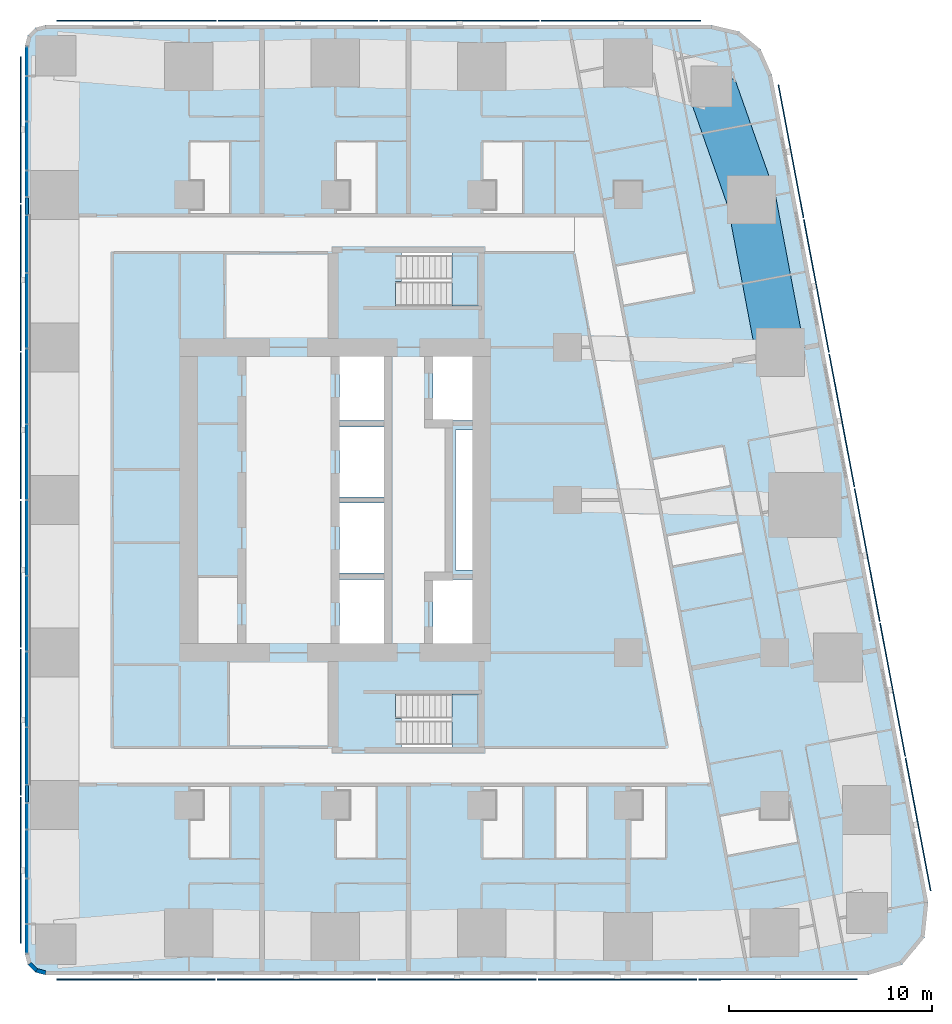
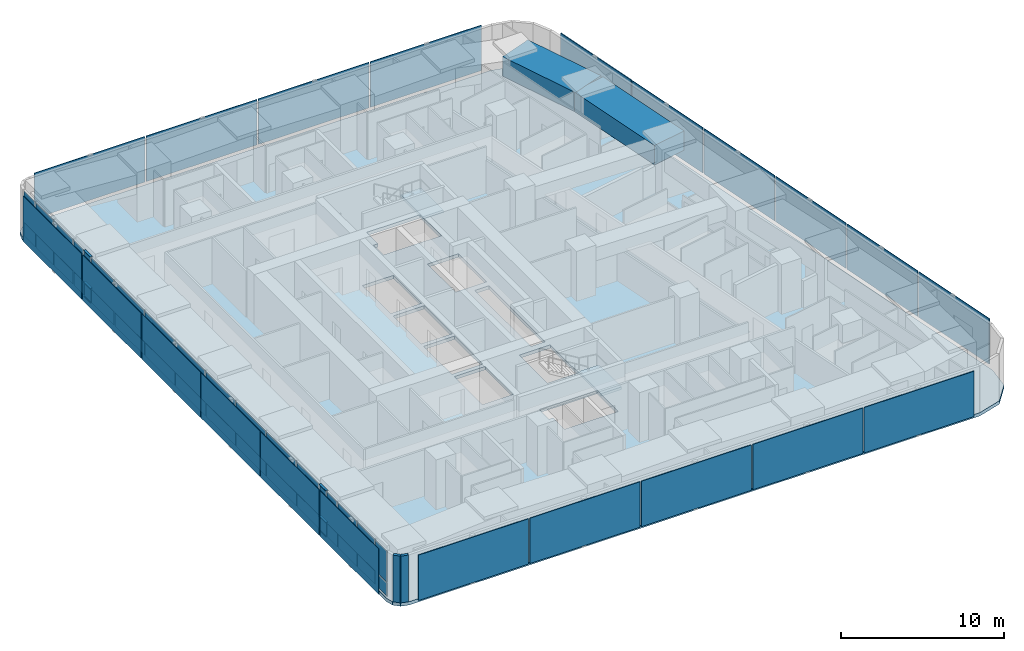
# One storey, part 6 of 17: 57 plates, 6 members, 3 slabs, 2 beams, 2 walls, 3 elements without a shape of their own.
"""IFC4 building model written with IfcOpenShell, lengths in metres."""

from ifc_helpers import new_model, si_unit, direction, frame, frame_2d, origin, origin_2d, place, context, subcontext, project, spatial, polyline, rectangle, outline, extrude, material, layer, layer_set, material_profile, profile_set, type_object, element, aggregate, save


model = new_model("IFC4")

# Units and contexts
model_context = context("Model", 3, precision=1e-05, world=origin(), true_north=direction((0.0, 1.0)))
body_context = subcontext(model_context, "Body", "Model", "MODEL_VIEW")
ifc_project = project(units=[si_unit("LENGTHUNIT", "METRE"), si_unit("AREAUNIT", "SQUARE_METRE"), si_unit("VOLUMEUNIT", "CUBIC_METRE"), si_unit("PLANEANGLEUNIT", "RADIAN"), si_unit("MASSUNIT", "GRAM", prefix="KILO")], contexts=[model_context])

# Site, building, storey
site_placement = place(None, origin())
site = spatial("IfcSite", under=ifc_project, at=site_placement, CompositionType="ELEMENT")
building_placement = place(site_placement, origin())
building = spatial("IfcBuilding", under=site, at=building_placement, Name="Sheger Commons Tower", CompositionType="ELEMENT")
storey_placement = place(building_placement, frame((0.0, 0.0, 212.449951171875)))
storey = spatial("IfcBuildingStorey", under=building, at=storey_placement, Name="L54", CompositionType="ELEMENT", Elevation=212.449951171875)

# Beams
ifc_material_1 = material(Name="Concrete C50/60", Category="concrete")
ifc_material_profile_1 = material_profile(ifc_material_1, rectangle(XDim=2.39990234375, YDim=1.449951171875, at=origin_2d()), Name="RC 2400x1450")
ifc_profile_set_1 = profile_set([ifc_material_profile_1], Name="Concrete C50/60")
beam_type = type_object("IfcBeamType", Name="SPANDREL RC 2400x1450", PredefinedType="SPANDREL", material=ifc_profile_set_1)
beam_1_placement = place(storey_placement, frame((43.47998046875, 29.762939453125, 2.775146484375), z_axis=(-0.18552441405, 0.982639655108, 0.0), x_axis=(-0.982639655108, -0.18552441405, 0.0)))
element("IfcBeam", 1, at=beam_1_placement, inside=storey, type_object=beam_type, Name="Beam E/E-E/F under L55", PredefinedType="SPANDREL", context=body_context, shape_type="SweptSolid", body=[
    extrude(rectangle(XDim=2.39990234375, YDim=1.449951171875, at=origin_2d()), origin(), (0.0, 0.0, 1.0), 7.632568359375),
])
beam_2_placement = place(storey_placement, frame((42.06396484375, 37.262939453125, 2.775146484375), z_axis=(-0.332374403357, 0.943147526102, 0.0), x_axis=(-0.943147526102, -0.332374403357, 0.0)))
element("IfcBeam", 2, at=beam_2_placement, inside=storey, type_object=beam_type, Name="Beam E/F-41.490,44.505 under L55", PredefinedType="SPANDREL", context=body_context, shape_type="SweptSolid", body=[
    extrude(rectangle(XDim=2.39990234375, YDim=1.449951171875, at=origin_2d()), origin(), (0.0, 0.0, 1.0), 5.90283203125),
])

# Curtain wall, members, plates
ifc_material_2 = material(Name="Black aluminium curtain wall, dark tinted glazing", Category="aluminium")
curtain_wall_type = type_object("IfcCurtainWallType", Name="CURTAIN WALL CW4 GALLERY", PredefinedType="USERDEFINED", material=ifc_material_2)
curtain_wall_placement = place(storey_placement, origin())
curtain_wall = element("IfcCurtainWall", 3, at=curtain_wall_placement, inside=storey, type_object=curtain_wall_type, Name="Curtain Wall Cw4 Gallery W1 L54", ObjectType="UNITISED CURTAIN WALL", PredefinedType="USERDEFINED")
ifc_material_3 = material(Name="Black anodised aluminium", Category="aluminium")
ifc_material_profile_2 = material_profile(ifc_material_3, rectangle(XDim=0.14990234375, YDim=0.06494140625, at=origin_2d()), Name="AL 65x150")
ifc_profile_set_2 = profile_set([ifc_material_profile_2], Name="Black anodised aluminium")
member_type = type_object("IfcMemberType", Name="TRANSOM AL 65x150", PredefinedType="USERDEFINED", material=ifc_profile_set_2)
member_1_placement = place(storey_placement, frame((6.449951171875, 37.3583984375, 0.032470703125), z_axis=(0.0, -1.0, 0.0), x_axis=(1.0, 0.0, 0.0)))
member_1 = element("IfcMember", 4, at=member_1_placement, type_object=member_type, Name="CW4 transom 5.1", ObjectType="TRANSOM", PredefinedType="USERDEFINED", context=body_context, shape_type="SweptSolid", body=[
    extrude(rectangle(XDim=0.14990234375, YDim=0.06494140625, at=origin_2d()), origin(), (0.0, 0.0, 1.0), 0.825927734375),
])
member_2_placement = place(storey_placement, frame((6.449951171875, 37.3583984375, 1.10009765625), z_axis=(0.0, -1.0, 0.0), x_axis=(1.0, 0.0, 0.0)))
member_2 = element("IfcMember", 5, at=member_2_placement, type_object=member_type, Name="CW4 transom 5.2", ObjectType="TRANSOM", PredefinedType="USERDEFINED", context=body_context, shape_type="SweptSolid", body=[
    extrude(rectangle(XDim=0.14990234375, YDim=0.06494140625, at=origin_2d()), origin(), (0.0, 0.0, 1.0), 0.825927734375),
])
member_3_placement = place(storey_placement, frame((6.449951171875, 37.3583984375, 3.467529296875), z_axis=(0.0, -1.0, 0.0), x_axis=(1.0, 0.0, 0.0)))
member_3 = element("IfcMember", 6, at=member_3_placement, type_object=member_type, Name="CW4 transom 5.3", ObjectType="TRANSOM", PredefinedType="USERDEFINED", context=body_context, shape_type="SweptSolid", body=[
    extrude(rectangle(XDim=0.14990234375, YDim=0.06494140625, at=origin_2d()), origin(), (0.0, 0.0, 1.0), 0.825927734375),
])
member_4_placement = place(storey_placement, frame((6.449951171875, 8.467529296875, 0.032470703125), z_axis=(0.0, -1.0, 0.0), x_axis=(1.0, 0.0, 0.0)))
member_4 = element("IfcMember", 7, at=member_4_placement, type_object=member_type, Name="CW4 transom 14.1", ObjectType="TRANSOM", PredefinedType="USERDEFINED", context=body_context, shape_type="SweptSolid", body=[
    extrude(rectangle(XDim=0.14990234375, YDim=0.06494140625, at=origin_2d()), origin(), (0.0, 0.0, 1.0), 0.825927734375),
])
member_5_placement = place(storey_placement, frame((6.449951171875, 8.467529296875, 1.10009765625), z_axis=(0.0, -1.0, 0.0), x_axis=(1.0, 0.0, 0.0)))
member_5 = element("IfcMember", 8, at=member_5_placement, type_object=member_type, Name="CW4 transom 14.2", ObjectType="TRANSOM", PredefinedType="USERDEFINED", context=body_context, shape_type="SweptSolid", body=[
    extrude(rectangle(XDim=0.14990234375, YDim=0.06494140625, at=origin_2d()), origin(), (0.0, 0.0, 1.0), 0.825927734375),
])
member_6_placement = place(storey_placement, frame((6.449951171875, 8.467529296875, 3.467529296875), z_axis=(0.0, -1.0, 0.0), x_axis=(1.0, 0.0, 0.0)))
member_6 = element("IfcMember", 9, at=member_6_placement, type_object=member_type, Name="CW4 transom 14.3", ObjectType="TRANSOM", PredefinedType="USERDEFINED", context=body_context, shape_type="SweptSolid", body=[
    extrude(rectangle(XDim=0.14990234375, YDim=0.06494140625, at=origin_2d()), origin(), (0.0, 0.0, 1.0), 0.825927734375),
])
ifc_material_4 = material(Name="Dark tinted double glazing", Category="glass")
ifc_layer_1 = layer(ifc_material_4, 0.031982421875)
ifc_layer_set_1 = layer_set([ifc_layer_1], Name="GLAZED PANEL 32")
plate_type_1 = type_object("IfcPlateType", Name="GLAZED PANEL 32", PredefinedType="CURTAIN_PANEL", material=ifc_layer_set_1)
plate_1_placement = place(storey_placement, frame((6.449951171875, 44.0751953125, 0.065185546875), z_axis=(0.0, 0.0, 1.0), x_axis=(0.0, -1.0, 0.0)))
plate_1 = element("IfcPlate", 10, at=plate_1_placement, type_object=plate_type_1, Name="CW4 panel 1.1", PredefinedType="CURTAIN_PANEL", context=body_context, shape_type="SweptSolid", body=[
    extrude(rectangle(XDim=1.3935546875, YDim=0.031982421875, at=origin_2d()), origin(), (0.0, 0.0, 1.0), 1.00244140625),
])
plate_2_placement = place(storey_placement, frame((6.449951171875, 44.0751953125, 1.13232421875), z_axis=(0.0, 0.0, 1.0), x_axis=(0.0, -1.0, 0.0)))
plate_2 = element("IfcPlate", 11, at=plate_2_placement, type_object=plate_type_1, Name="CW4 panel 1.2", PredefinedType="CURTAIN_PANEL", context=body_context, shape_type="SweptSolid", body=[
    extrude(rectangle(XDim=1.3935546875, YDim=0.031982421875, at=origin_2d()), origin(), (0.0, 0.0, 1.0), 2.302490234375),
])
plate_3_placement = place(storey_placement, frame((6.449951171875, 42.22998046875, 0.065185546875), z_axis=(0.0, 0.0, 1.0), x_axis=(0.0, -1.0, 0.0)))
plate_3 = element("IfcPlate", 12, at=plate_3_placement, type_object=plate_type_1, Name="CW4 panel 2.1", PredefinedType="CURTAIN_PANEL", context=body_context, shape_type="SweptSolid", body=[
    extrude(rectangle(XDim=2.1669921875, YDim=0.031982421875, at=origin_2d()), origin(), (0.0, 0.0, 1.0), 1.00244140625),
])
plate_4_placement = place(storey_placement, frame((6.449951171875, 42.22998046875, 1.13232421875), z_axis=(0.0, 0.0, 1.0), x_axis=(0.0, -1.0, 0.0)))
plate_4 = element("IfcPlate", 13, at=plate_4_placement, type_object=plate_type_1, Name="CW4 panel 2.2", PredefinedType="CURTAIN_PANEL", context=body_context, shape_type="SweptSolid", body=[
    extrude(rectangle(XDim=2.1669921875, YDim=0.031982421875, at=origin_2d()), origin(), (0.0, 0.0, 1.0), 2.302490234375),
])
plate_5_placement = place(storey_placement, frame((6.449951171875, 39.906982421875, 0.065185546875), z_axis=(0.0, 0.0, 1.0), x_axis=(0.0, -1.0, 0.0)))
plate_5 = element("IfcPlate", 14, at=plate_5_placement, type_object=plate_type_1, Name="CW4 panel 3.1", PredefinedType="CURTAIN_PANEL", context=body_context, shape_type="SweptSolid", body=[
    extrude(rectangle(XDim=2.34912109375, YDim=0.031982421875, at=origin_2d()), origin(), (0.0, 0.0, 1.0), 1.00244140625),
])
plate_6_placement = place(storey_placement, frame((6.449951171875, 39.906982421875, 1.13232421875), z_axis=(0.0, 0.0, 1.0), x_axis=(0.0, -1.0, 0.0)))
plate_6 = element("IfcPlate", 15, at=plate_6_placement, type_object=plate_type_1, Name="CW4 panel 3.2", PredefinedType="CURTAIN_PANEL", context=body_context, shape_type="SweptSolid", body=[
    extrude(rectangle(XDim=2.34912109375, YDim=0.031982421875, at=origin_2d()), origin(), (0.0, 0.0, 1.0), 2.302490234375),
])
plate_7_placement = place(storey_placement, frame((6.449951171875, 38.04541015625, 0.065185546875), z_axis=(0.0, 0.0, 1.0), x_axis=(0.0, -1.0, 0.0)))
plate_7 = element("IfcPlate", 16, at=plate_7_placement, type_object=plate_type_1, Name="CW4 panel 4.1", PredefinedType="CURTAIN_PANEL", context=body_context, shape_type="SweptSolid", body=[
    extrude(rectangle(XDim=1.243896484375, YDim=0.031982421875, at=origin_2d()), origin(), (0.0, 0.0, 1.0), 1.00244140625),
])
plate_8_placement = place(storey_placement, frame((6.449951171875, 38.04541015625, 1.13232421875), z_axis=(0.0, 0.0, 1.0), x_axis=(0.0, -1.0, 0.0)))
plate_8 = element("IfcPlate", 17, at=plate_8_placement, type_object=plate_type_1, Name="CW4 panel 4.2", PredefinedType="CURTAIN_PANEL", context=body_context, shape_type="SweptSolid", body=[
    extrude(rectangle(XDim=1.243896484375, YDim=0.031982421875, at=origin_2d()), origin(), (0.0, 0.0, 1.0), 2.302490234375),
])
plate_9_placement = place(storey_placement, frame((6.449951171875, 36.945556640625, 0.065185546875), z_axis=(0.0, 0.0, 1.0), x_axis=(0.0, -1.0, 0.0)))
plate_9 = element("IfcPlate", 18, at=plate_9_placement, type_object=plate_type_1, Name="CW4 panel 5.1", PredefinedType="CURTAIN_PANEL", context=body_context, shape_type="SweptSolid", body=[
    extrude(rectangle(XDim=0.825927734375, YDim=0.031982421875, at=origin_2d()), origin(), (0.0, 0.0, 1.0), 1.00244140625),
])
plate_10_placement = place(storey_placement, frame((6.449951171875, 36.945556640625, 1.13232421875), z_axis=(0.0, 0.0, 1.0), x_axis=(0.0, -1.0, 0.0)))
plate_10 = element("IfcPlate", 19, at=plate_10_placement, type_object=plate_type_1, Name="CW4 panel 5.2", PredefinedType="CURTAIN_PANEL", context=body_context, shape_type="SweptSolid", body=[
    extrude(rectangle(XDim=0.825927734375, YDim=0.031982421875, at=origin_2d()), origin(), (0.0, 0.0, 1.0), 2.302490234375),
])
plate_11_placement = place(storey_placement, frame((6.449951171875, 35.083984375, 0.065185546875), z_axis=(0.0, 0.0, 1.0), x_axis=(0.0, -1.0, 0.0)))
plate_11 = element("IfcPlate", 20, at=plate_11_placement, type_object=plate_type_1, Name="CW4 panel 6.1", PredefinedType="CURTAIN_PANEL", context=body_context, shape_type="SweptSolid", body=[
    extrude(rectangle(XDim=2.76708984375, YDim=0.031982421875, at=origin_2d()), origin(), (0.0, 0.0, 1.0), 1.00244140625),
])
plate_12_placement = place(storey_placement, frame((6.449951171875, 35.083984375, 1.13232421875), z_axis=(0.0, 0.0, 1.0), x_axis=(0.0, -1.0, 0.0)))
plate_12 = element("IfcPlate", 21, at=plate_12_placement, type_object=plate_type_1, Name="CW4 panel 6.2", PredefinedType="CURTAIN_PANEL", context=body_context, shape_type="SweptSolid", body=[
    extrude(rectangle(XDim=2.76708984375, YDim=0.031982421875, at=origin_2d()), origin(), (0.0, 0.0, 1.0), 2.302490234375),
])
plate_13_placement = place(storey_placement, frame((6.449951171875, 31.806884765625, 0.065185546875), z_axis=(0.0, 0.0, 1.0), x_axis=(0.0, -1.0, 0.0)))
plate_13 = element("IfcPlate", 22, at=plate_13_placement, type_object=plate_type_1, Name="CW4 panel 7.1", PredefinedType="CURTAIN_PANEL", context=body_context, shape_type="SweptSolid", body=[
    extrude(rectangle(XDim=3.656982421875, YDim=0.031982421875, at=origin_2d()), origin(), (0.0, 0.0, 1.0), 1.00244140625),
])
plate_14_placement = place(storey_placement, frame((6.449951171875, 31.806884765625, 1.13232421875), z_axis=(0.0, 0.0, 1.0), x_axis=(0.0, -1.0, 0.0)))
plate_14 = element("IfcPlate", 23, at=plate_14_placement, type_object=plate_type_1, Name="CW4 panel 7.2", PredefinedType="CURTAIN_PANEL", context=body_context, shape_type="SweptSolid", body=[
    extrude(rectangle(XDim=3.656982421875, YDim=0.031982421875, at=origin_2d()), origin(), (0.0, 0.0, 1.0), 2.302490234375),
])
plate_15_placement = place(storey_placement, frame((6.449951171875, 28.08447265625, 0.065185546875), z_axis=(0.0, 0.0, 1.0), x_axis=(0.0, -1.0, 0.0)))
plate_15 = element("IfcPlate", 24, at=plate_15_placement, type_object=plate_type_1, Name="CW4 panel 8.1", PredefinedType="CURTAIN_PANEL", context=body_context, shape_type="SweptSolid", body=[
    extrude(rectangle(XDim=3.657958984375, YDim=0.031982421875, at=origin_2d()), origin(), (0.0, 0.0, 1.0), 1.00244140625),
])
plate_16_placement = place(storey_placement, frame((6.449951171875, 28.08447265625, 1.13232421875), z_axis=(0.0, 0.0, 1.0), x_axis=(0.0, -1.0, 0.0)))
plate_16 = element("IfcPlate", 25, at=plate_16_placement, type_object=plate_type_1, Name="CW4 panel 8.2", PredefinedType="CURTAIN_PANEL", context=body_context, shape_type="SweptSolid", body=[
    extrude(rectangle(XDim=3.657958984375, YDim=0.031982421875, at=origin_2d()), origin(), (0.0, 0.0, 1.0), 2.302490234375),
])
plate_17_placement = place(storey_placement, frame((6.449951171875, 24.361572265625, 0.065185546875), z_axis=(0.0, 0.0, 1.0), x_axis=(0.0, -1.0, 0.0)))
plate_17 = element("IfcPlate", 26, at=plate_17_placement, type_object=plate_type_1, Name="CW4 panel 9.1", PredefinedType="CURTAIN_PANEL", context=body_context, shape_type="SweptSolid", body=[
    extrude(rectangle(XDim=3.657958984375, YDim=0.031982421875, at=origin_2d()), origin(), (0.0, 0.0, 1.0), 1.00244140625),
])
plate_18_placement = place(storey_placement, frame((6.449951171875, 24.361572265625, 1.13232421875), z_axis=(0.0, 0.0, 1.0), x_axis=(0.0, -1.0, 0.0)))
plate_18 = element("IfcPlate", 27, at=plate_18_placement, type_object=plate_type_1, Name="CW4 panel 9.2", PredefinedType="CURTAIN_PANEL", context=body_context, shape_type="SweptSolid", body=[
    extrude(rectangle(XDim=3.657958984375, YDim=0.031982421875, at=origin_2d()), origin(), (0.0, 0.0, 1.0), 2.302490234375),
])
plate_19_placement = place(storey_placement, frame((6.449951171875, 20.638427734375, 0.065185546875), z_axis=(0.0, 0.0, 1.0), x_axis=(0.0, -1.0, 0.0)))
plate_19 = element("IfcPlate", 28, at=plate_19_placement, type_object=plate_type_1, Name="CW4 panel 10.1", PredefinedType="CURTAIN_PANEL", context=body_context, shape_type="SweptSolid", body=[
    extrude(rectangle(XDim=3.657958984375, YDim=0.031982421875, at=origin_2d()), origin(), (0.0, 0.0, 1.0), 1.00244140625),
])
plate_20_placement = place(storey_placement, frame((6.449951171875, 20.638427734375, 1.13232421875), z_axis=(0.0, 0.0, 1.0), x_axis=(0.0, -1.0, 0.0)))
plate_20 = element("IfcPlate", 29, at=plate_20_placement, type_object=plate_type_1, Name="CW4 panel 10.2", PredefinedType="CURTAIN_PANEL", context=body_context, shape_type="SweptSolid", body=[
    extrude(rectangle(XDim=3.657958984375, YDim=0.031982421875, at=origin_2d()), origin(), (0.0, 0.0, 1.0), 2.302490234375),
])
plate_21_placement = place(storey_placement, frame((6.449951171875, 16.91552734375, 0.065185546875), z_axis=(0.0, 0.0, 1.0), x_axis=(0.0, -1.0, 0.0)))
plate_21 = element("IfcPlate", 30, at=plate_21_placement, type_object=plate_type_1, Name="CW4 panel 11.1", PredefinedType="CURTAIN_PANEL", context=body_context, shape_type="SweptSolid", body=[
    extrude(rectangle(XDim=3.657958984375, YDim=0.031982421875, at=origin_2d()), origin(), (0.0, 0.0, 1.0), 1.00244140625),
])
plate_22_placement = place(storey_placement, frame((6.449951171875, 16.91552734375, 1.13232421875), z_axis=(0.0, 0.0, 1.0), x_axis=(0.0, -1.0, 0.0)))
plate_22 = element("IfcPlate", 31, at=plate_22_placement, type_object=plate_type_1, Name="CW4 panel 11.2", PredefinedType="CURTAIN_PANEL", context=body_context, shape_type="SweptSolid", body=[
    extrude(rectangle(XDim=3.657958984375, YDim=0.031982421875, at=origin_2d()), origin(), (0.0, 0.0, 1.0), 2.302490234375),
])
plate_23_placement = place(storey_placement, frame((6.449951171875, 13.1923828125, 0.065185546875), z_axis=(0.0, 0.0, 1.0), x_axis=(0.0, -1.0, 0.0)))
plate_23 = element("IfcPlate", 32, at=plate_23_placement, type_object=plate_type_1, Name="CW4 panel 12.1", PredefinedType="CURTAIN_PANEL", context=body_context, shape_type="SweptSolid", body=[
    extrude(rectangle(XDim=3.657958984375, YDim=0.031982421875, at=origin_2d()), origin(), (0.0, 0.0, 1.0), 1.00244140625),
])
plate_24_placement = place(storey_placement, frame((6.449951171875, 13.1923828125, 1.13232421875), z_axis=(0.0, 0.0, 1.0), x_axis=(0.0, -1.0, 0.0)))
plate_24 = element("IfcPlate", 33, at=plate_24_placement, type_object=plate_type_1, Name="CW4 panel 12.2", PredefinedType="CURTAIN_PANEL", context=body_context, shape_type="SweptSolid", body=[
    extrude(rectangle(XDim=3.657958984375, YDim=0.031982421875, at=origin_2d()), origin(), (0.0, 0.0, 1.0), 2.302490234375),
])
plate_25_placement = place(storey_placement, frame((6.449951171875, 9.91552734375, 0.065185546875), z_axis=(0.0, 0.0, 1.0), x_axis=(0.0, -1.0, 0.0)))
plate_25 = element("IfcPlate", 34, at=plate_25_placement, type_object=plate_type_1, Name="CW4 panel 13.1", PredefinedType="CURTAIN_PANEL", context=body_context, shape_type="SweptSolid", body=[
    extrude(rectangle(XDim=2.76611328125, YDim=0.031982421875, at=origin_2d()), origin(), (0.0, 0.0, 1.0), 1.00244140625),
])
plate_26_placement = place(storey_placement, frame((6.449951171875, 9.91552734375, 1.13232421875), z_axis=(0.0, 0.0, 1.0), x_axis=(0.0, -1.0, 0.0)))
plate_26 = element("IfcPlate", 35, at=plate_26_placement, type_object=plate_type_1, Name="CW4 panel 13.2", PredefinedType="CURTAIN_PANEL", context=body_context, shape_type="SweptSolid", body=[
    extrude(rectangle(XDim=2.76611328125, YDim=0.031982421875, at=origin_2d()), origin(), (0.0, 0.0, 1.0), 2.302490234375),
])
plate_27_placement = place(storey_placement, frame((6.449951171875, 8.054443359375, 0.065185546875), z_axis=(0.0, 0.0, 1.0), x_axis=(0.0, -1.0, 0.0)))
plate_27 = element("IfcPlate", 36, at=plate_27_placement, type_object=plate_type_1, Name="CW4 panel 14.1", PredefinedType="CURTAIN_PANEL", context=body_context, shape_type="SweptSolid", body=[
    extrude(rectangle(XDim=0.825927734375, YDim=0.031982421875, at=origin_2d()), origin(), (0.0, 0.0, 1.0), 1.00244140625),
])
plate_28_placement = place(storey_placement, frame((6.449951171875, 8.054443359375, 1.13232421875), z_axis=(0.0, 0.0, 1.0), x_axis=(0.0, -1.0, 0.0)))
plate_28 = element("IfcPlate", 37, at=plate_28_placement, type_object=plate_type_1, Name="CW4 panel 14.2", PredefinedType="CURTAIN_PANEL", context=body_context, shape_type="SweptSolid", body=[
    extrude(rectangle(XDim=0.825927734375, YDim=0.031982421875, at=origin_2d()), origin(), (0.0, 0.0, 1.0), 2.302490234375),
])
plate_29_placement = place(storey_placement, frame((6.449951171875, 6.95458984375, 0.065185546875), z_axis=(0.0, 0.0, 1.0), x_axis=(0.0, -1.0, 0.0)))
plate_29 = element("IfcPlate", 38, at=plate_29_placement, type_object=plate_type_1, Name="CW4 panel 15.1", PredefinedType="CURTAIN_PANEL", context=body_context, shape_type="SweptSolid", body=[
    extrude(rectangle(XDim=1.243896484375, YDim=0.031982421875, at=origin_2d()), origin(), (0.0, 0.0, 1.0), 1.00244140625),
])
plate_30_placement = place(storey_placement, frame((6.449951171875, 6.95458984375, 1.13232421875), z_axis=(0.0, 0.0, 1.0), x_axis=(0.0, -1.0, 0.0)))
plate_30 = element("IfcPlate", 39, at=plate_30_placement, type_object=plate_type_1, Name="CW4 panel 15.2", PredefinedType="CURTAIN_PANEL", context=body_context, shape_type="SweptSolid", body=[
    extrude(rectangle(XDim=1.243896484375, YDim=0.031982421875, at=origin_2d()), origin(), (0.0, 0.0, 1.0), 2.302490234375),
])
plate_31_placement = place(storey_placement, frame((6.449951171875, 5.093017578125, 0.065185546875), z_axis=(0.0, 0.0, 1.0), x_axis=(0.0, -1.0, 0.0)))
plate_31 = element("IfcPlate", 40, at=plate_31_placement, type_object=plate_type_1, Name="CW4 panel 16.1", PredefinedType="CURTAIN_PANEL", context=body_context, shape_type="SweptSolid", body=[
    extrude(rectangle(XDim=2.34912109375, YDim=0.031982421875, at=origin_2d()), origin(), (0.0, 0.0, 1.0), 1.00244140625),
])
plate_32_placement = place(storey_placement, frame((6.449951171875, 5.093017578125, 1.13232421875), z_axis=(0.0, 0.0, 1.0), x_axis=(0.0, -1.0, 0.0)))
plate_32 = element("IfcPlate", 41, at=plate_32_placement, type_object=plate_type_1, Name="CW4 panel 16.2", PredefinedType="CURTAIN_PANEL", context=body_context, shape_type="SweptSolid", body=[
    extrude(rectangle(XDim=2.34912109375, YDim=0.031982421875, at=origin_2d()), origin(), (0.0, 0.0, 1.0), 2.302490234375),
])
plate_33_placement = place(storey_placement, frame((6.449951171875, 2.77001953125, 0.065185546875), z_axis=(0.0, 0.0, 1.0), x_axis=(0.0, -1.0, 0.0)))
plate_33 = element("IfcPlate", 42, at=plate_33_placement, type_object=plate_type_1, Name="CW4 panel 17.1", PredefinedType="CURTAIN_PANEL", context=body_context, shape_type="SweptSolid", body=[
    extrude(rectangle(XDim=2.1669921875, YDim=0.031982421875, at=origin_2d()), origin(), (0.0, 0.0, 1.0), 1.00244140625),
])
plate_34_placement = place(storey_placement, frame((6.449951171875, 2.77001953125, 1.13232421875), z_axis=(0.0, 0.0, 1.0), x_axis=(0.0, -1.0, 0.0)))
plate_34 = element("IfcPlate", 43, at=plate_34_placement, type_object=plate_type_1, Name="CW4 panel 17.2", PredefinedType="CURTAIN_PANEL", context=body_context, shape_type="SweptSolid", body=[
    extrude(rectangle(XDim=2.1669921875, YDim=0.031982421875, at=origin_2d()), origin(), (0.0, 0.0, 1.0), 2.302490234375),
])
plate_35_placement = place(storey_placement, frame((6.449951171875, 0.9248046875, 0.065185546875), z_axis=(0.0, 0.0, 1.0), x_axis=(0.0, -1.0, 0.0)))
plate_35 = element("IfcPlate", 44, at=plate_35_placement, type_object=plate_type_1, Name="CW4 panel 18.1", PredefinedType="CURTAIN_PANEL", context=body_context, shape_type="SweptSolid", body=[
    extrude(rectangle(XDim=1.3935546875, YDim=0.031982421875, at=origin_2d()), origin(), (0.0, 0.0, 1.0), 1.00244140625),
])
plate_36_placement = place(storey_placement, frame((6.449951171875, 0.9248046875, 1.13232421875), z_axis=(0.0, 0.0, 1.0), x_axis=(0.0, -1.0, 0.0)))
plate_36 = element("IfcPlate", 45, at=plate_36_placement, type_object=plate_type_1, Name="CW4 panel 18.2", PredefinedType="CURTAIN_PANEL", context=body_context, shape_type="SweptSolid", body=[
    extrude(rectangle(XDim=1.3935546875, YDim=0.031982421875, at=origin_2d()), origin(), (0.0, 0.0, 1.0), 2.302490234375),
])
aggregate(curtain_wall, [plate_1, plate_2, plate_3, plate_4, plate_5, plate_6, plate_7, plate_8, member_1, member_2, member_3, plate_9, plate_10, plate_11, plate_12, plate_13, plate_14, plate_15, plate_16, plate_17, plate_18, plate_19, plate_20, plate_21, plate_22, plate_23, plate_24, plate_25, plate_26, member_4, member_5, member_6, plate_27, plate_28, plate_29, plate_30, plate_31, plate_32, plate_33, plate_34, plate_35, plate_36])

# Slab
ifc_material_5 = material(Name="Concrete C35/45", Category="concrete")
ifc_layer_2 = layer(ifc_material_5, 0.25)
ifc_layer_set_2 = layer_set([ifc_layer_2], Name="SLAB FLOOR 250")
slab_type_1 = type_object("IfcSlabType", Name="SLAB FLOOR 250", PredefinedType="FLOOR", material=ifc_layer_set_2)
slab_1_placement = place(storey_placement, frame((0.0, 0.0, -0.25)))
element("IfcSlab", 46, at=slab_1_placement, inside=storey, type_object=slab_type_1, Name="L54 floor slab", PredefinedType="FLOOR", context=body_context, shape_type="SweptSolid", body=[
    extrude(outline(polyline([(6.35009765625, 0.14990234375), (6.48388671875, -0.35009765625), (6.85009765625, -0.716064453125), (7.35009765625, -0.85009765625), (47.805908203125, -0.85009765625), (49.465087890625, -0.35009765625), (50.570068359375, 0.98388671875), (50.75390625, 2.70703125), (43.06591796875, 43.406982421875), (42.509033203125, 44.660888671875), (41.452880859375, 45.535888671875), (40.117919921875, 45.85009765625), (7.35009765625, 45.85009765625), (6.85009765625, 45.716064453125), (6.48388671875, 45.35009765625), (6.35009765625, 44.85009765625), (6.35009765625, 0.14990234375)]), holes=[polyline([(24.85009765625, 10.35009765625), (28.64990234375, 10.35009765625), (28.64990234375, 12.949951171875), (24.551025390625, 12.949951171875), (24.551025390625, 11.75), (24.85009765625, 11.75), (24.85009765625, 10.35009765625)]), polyline([(24.551025390625, 32.050048828125), (28.64990234375, 32.050048828125), (28.64990234375, 34.64990234375), (24.85009765625, 34.64990234375), (24.85009765625, 33.25), (24.551025390625, 33.25), (24.551025390625, 32.050048828125)]), polyline([(26.39990234375, 15.14990234375), (28.60009765625, 15.14990234375), (28.60009765625, 18.60009765625), (26.39990234375, 18.60009765625), (26.39990234375, 15.14990234375)]), polyline([(26.39990234375, 26.39990234375), (28.60009765625, 26.39990234375), (28.60009765625, 29.85009765625), (26.39990234375, 29.85009765625), (26.39990234375, 26.39990234375)]), polyline([(21.800048828125, 15.14990234375), (24.0, 15.14990234375), (24.0, 18.60009765625), (21.800048828125, 18.60009765625), (21.800048828125, 15.14990234375)]), polyline([(21.800048828125, 18.89990234375), (24.0, 18.89990234375), (24.0, 22.35009765625), (21.800048828125, 22.35009765625), (21.800048828125, 18.89990234375)]), polyline([(21.800048828125, 22.64990234375), (24.0, 22.64990234375), (24.0, 26.10009765625), (21.800048828125, 26.10009765625), (21.800048828125, 22.64990234375)]), polyline([(21.800048828125, 26.39990234375), (24.0, 26.39990234375), (24.0, 29.85009765625), (21.800048828125, 29.85009765625), (21.800048828125, 26.39990234375)]), polyline([(27.5, 19.050048828125), (28.5, 19.050048828125), (28.5, 25.949951171875), (27.5, 25.949951171875), (27.5, 19.050048828125)])]), origin(), (0.0, 0.0, 1.0), 0.25),
])

# Plates
ifc_material_6 = material(Name="Perforated black anodised aluminium screen", Category="aluminium")
ifc_layer_3 = layer(ifc_material_6, 0.050048828125)
ifc_layer_set_3 = layer_set([ifc_layer_3], Name="SOLAR SCREEN SCREEN-1")
plate_type_2 = type_object("IfcPlateType", Name="SOLAR SCREEN SCREEN-1", PredefinedType="USERDEFINED", material=ifc_layer_set_3)
for number, where, z_axis, x_axis, name in (
    (47, (11.7958984375, -1.074951171875, 0.050048828125), (0.0, 0.0, 1.0), (1.0, 0.0, 0.0), "Perforated solar screen panel"),
    (48, (19.68701171875, -1.074951171875, 0.050048828125), (0.0, 0.0, 1.0), (1.0, 0.0, 0.0), "Perforated solar screen panel"),
    (49, (27.577880859375, -1.074951171875, 0.050048828125), (0.0, 0.0, 1.0), (1.0, 0.0, 0.0), "Perforated solar screen panel"),
    (50, (35.468994140625, -1.074951171875, 0.050048828125), (0.0, 0.0, 1.0), (1.0, 0.0, 0.0), "Perforated solar screen panel"),
    (51, (43.360107421875, -1.074951171875, 0.050048828125), (0.0, 0.0, 1.0), (1.0, 0.0, 0.0), "Perforated solar screen panel"),
):
    element("IfcPlate", number, at=place(storey_placement, frame(where, z_axis=z_axis, x_axis=x_axis)), inside=storey, type_object=plate_type_2, Name=name, ObjectType="SCREEN", PredefinedType="USERDEFINED", context=body_context, shape_type="SweptSolid", body=[
        extrude(rectangle(XDim=7.791015625, YDim=0.050048828125, at=origin_2d()), origin(), (0.0, 0.0, 1.0), 3.39990234375),
    ])
for number, where, z_axis, x_axis, name in (
    (52, (50.257080078125, 6.550048828125, 0.050048828125), (0.0, 0.0, 1.0), (-0.185615165645, 0.982622516678, 0.0), "Perforated solar screen panel"),
    (53, (49.007080078125, 13.1689453125, 0.050048828125), (0.0, 0.0, 1.0), (-0.185615165645, 0.982622516678, 0.0), "Perforated solar screen panel"),
    (54, (47.756103515625, 19.7890625, 0.050048828125), (0.0, 0.0, 1.0), (-0.185615165645, 0.982622516678, 0.0), "Perforated solar screen panel"),
    (55, (46.506103515625, 26.408935546875, 0.050048828125), (0.0, 0.0, 1.0), (-0.185615165645, 0.982622516678, 0.0), "Perforated solar screen panel"),
    (56, (45.2548828125, 33.028076171875, 0.050048828125), (0.0, 0.0, 1.0), (-0.185615165645, 0.982622516678, 0.0), "Perforated solar screen panel"),
    (57, (44.0048828125, 39.64794921875, 0.050048828125), (0.0, 0.0, 1.0), (-0.185615165645, 0.982622516678, 0.0), "Perforated solar screen panel"),
):
    element("IfcPlate", number, at=place(storey_placement, frame(where, z_axis=z_axis, x_axis=x_axis)), inside=storey, type_object=plate_type_2, Name=name, ObjectType="SCREEN", PredefinedType="USERDEFINED", context=body_context, shape_type="SweptSolid", body=[
        extrude(rectangle(XDim=6.636962890625, YDim=0.050048828125, at=origin_2d()), origin(), (0.0, 0.0, 1.0), 3.39990234375),
    ])
for number, where, z_axis, x_axis, name in (
    (58, (35.64697265625, 46.074951171875, 0.050048828125), (0.0, 0.0, 1.0), (-1.0, 0.0, 0.0), "Perforated solar screen panel"),
    (59, (27.705078125, 46.074951171875, 0.050048828125), (0.0, 0.0, 1.0), (-1.0, 0.0, 0.0), "Perforated solar screen panel"),
    (60, (19.762939453125, 46.074951171875, 0.050048828125), (0.0, 0.0, 1.0), (-1.0, 0.0, 0.0), "Perforated solar screen panel"),
    (61, (11.821044921875, 46.074951171875, 0.050048828125), (0.0, 0.0, 1.0), (-1.0, 0.0, 0.0), "Perforated solar screen panel"),
):
    element("IfcPlate", number, at=place(storey_placement, frame(where, z_axis=z_axis, x_axis=x_axis)), inside=storey, type_object=plate_type_2, Name=name, ObjectType="SCREEN", PredefinedType="USERDEFINED", context=body_context, shape_type="SweptSolid", body=[
        extrude(rectangle(XDim=7.842041015625, YDim=0.050048828125, at=origin_2d()), origin(), (0.0, 0.0, 1.0), 3.39990234375),
    ])
for number, where, z_axis, x_axis, name in (
    (62, (6.125, 40.7080078125, 0.050048828125), (0.0, 0.0, 1.0), (0.0, -1.0, 0.0), "Perforated solar screen panel"),
    (63, (6.125, 33.425048828125, 0.050048828125), (0.0, 0.0, 1.0), (0.0, -1.0, 0.0), "Perforated solar screen panel"),
    (64, (6.125, 26.14208984375, 0.050048828125), (0.0, 0.0, 1.0), (0.0, -1.0, 0.0), "Perforated solar screen panel"),
    (65, (6.125, 18.85791015625, 0.050048828125), (0.0, 0.0, 1.0), (0.0, -1.0, 0.0), "Perforated solar screen panel"),
    (66, (6.125, 11.574951171875, 0.050048828125), (0.0, 0.0, 1.0), (0.0, -1.0, 0.0), "Perforated solar screen panel"),
    (67, (6.125, 4.2919921875, 0.050048828125), (0.0, 0.0, 1.0), (0.0, -1.0, 0.0), "Perforated solar screen panel"),
):
    element("IfcPlate", number, at=place(storey_placement, frame(where, z_axis=z_axis, x_axis=x_axis)), inside=storey, type_object=plate_type_2, Name=name, ObjectType="SCREEN", PredefinedType="USERDEFINED", context=body_context, shape_type="SweptSolid", body=[
        extrude(rectangle(XDim=7.18310546875, YDim=0.050048828125, at=origin_2d()), origin(), (0.0, 0.0, 1.0), 3.39990234375),
    ])

# Stair, slab
ifc_material_7 = material(Name="Concrete C35/45", Category="concrete")
stair_type = type_object("IfcStairType", Name="HALF-TURN STAIR 1200 RISE 3750", PredefinedType="HALF_TURN_STAIR", material=ifc_material_7)
stair_1_placement = place(storey_placement, origin())
stair_1 = element("IfcStair", 68, at=stair_1_placement, inside=storey, type_object=stair_type, Name="Stair S1 L54", PredefinedType="HALF_TURN_STAIR")
ifc_material_8 = material(Name="Concrete C35/45", Category="concrete")
ifc_layer_4 = layer(ifc_material_8, 0.199951171875)
ifc_layer_set_4 = layer_set([ifc_layer_4], Name="STAIR LANDING 200")
slab_type_2 = type_object("IfcSlabType", Name="STAIR LANDING 200", PredefinedType="LANDING", material=ifc_layer_set_4)
slab_2_placement = place(storey_placement, frame((0.0, 0.0, 1.675048828125)))
slab_2 = element("IfcSlab", 69, at=slab_2_placement, type_object=slab_type_2, Name="S1 landing 1", PredefinedType="LANDING", context=body_context, shape_type="SweptSolid", body=[
    extrude(outline(polyline([(27.35009765625, 10.199951171875), (28.800048828125, 10.199951171875), (28.800048828125, 12.949951171875), (27.35009765625, 12.949951171875), (27.35009765625, 10.199951171875)])), origin(), (0.0, 0.0, 1.0), 0.199951171875),
])
aggregate(stair_1, [slab_2])

stair_2_placement = place(storey_placement, origin())
stair_2 = element("IfcStair", 70, at=stair_2_placement, inside=storey, type_object=stair_type, Name="Stair S2 L54", PredefinedType="HALF_TURN_STAIR")
slab_3_placement = place(storey_placement, frame((0.0, 0.0, 1.675048828125)))
slab_3 = element("IfcSlab", 71, at=slab_3_placement, type_object=slab_type_2, Name="S2 landing 1", PredefinedType="LANDING", context=body_context, shape_type="SweptSolid", body=[
    extrude(outline(polyline([(27.35009765625, 32.050048828125), (28.800048828125, 32.050048828125), (28.800048828125, 34.800048828125), (27.35009765625, 34.800048828125), (27.35009765625, 32.050048828125)])), origin(), (0.0, 0.0, 1.0), 0.199951171875),
])
aggregate(stair_2, [slab_3])

# Walls
ifc_material_9 = material(Name="Rendered concrete block masonry, dark grey", Category="masonry")
ifc_layer_5 = layer(ifc_material_9, 0.199951171875)
ifc_layer_set_5 = layer_set([ifc_layer_5], Name="FACADE WALL 200")
wall_type = type_object("IfcWallType", Name="FACADE WALL 200", PredefinedType="SOLIDWALL", material=ifc_layer_set_5)
wall_1_placement = place(storey_placement, frame((6.573974609375, -0.298095703125, 0.0), z_axis=(0.0, 0.0, 1.0), x_axis=(0.707369890659, -0.706843573776, 0.0)))
element("IfcWall", 72, at=wall_1_placement, inside=storey, type_object=wall_type, Name="Facade wall L54", PredefinedType="SOLIDWALL", context=body_context, shape_type="SweptSolid", body=[
    extrude(rectangle(XDim=0.4638671875, YDim=0.199951171875, at=frame_2d((0.23193359375, 0.0))), origin(), (0.0, 0.0, 1.0), 3.5),
])
wall_2_placement = place(storey_placement, frame((6.902099609375, -0.6259765625, 0.0), z_axis=(0.0, 0.0, 1.0), x_axis=(0.965655254015, -0.259826731483, 0.0)))
element("IfcWall", 73, at=wall_2_placement, inside=storey, type_object=wall_type, Name="Facade wall L54", PredefinedType="SOLIDWALL", context=body_context, shape_type="SweptSolid", body=[
    extrude(rectangle(XDim=0.477294921875, YDim=0.199951171875, at=frame_2d((0.23876953125, 0.0))), origin(), (0.0, 0.0, 1.0), 3.5),
])

save(model, "model.ifc")
